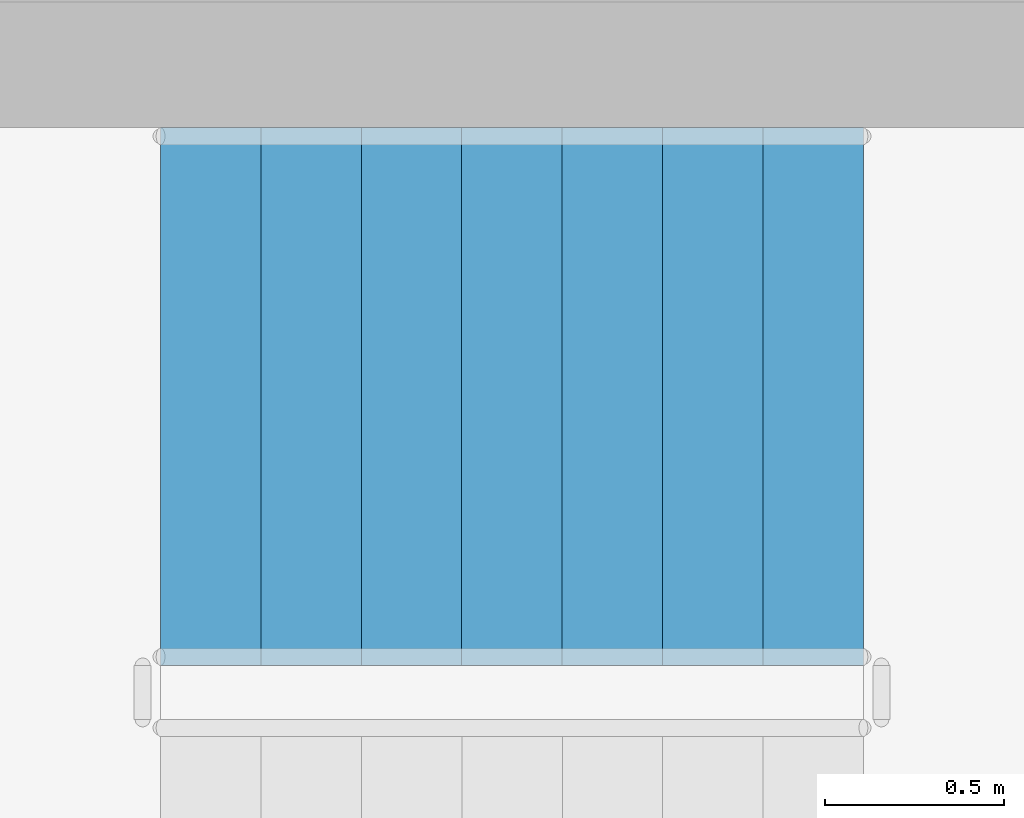
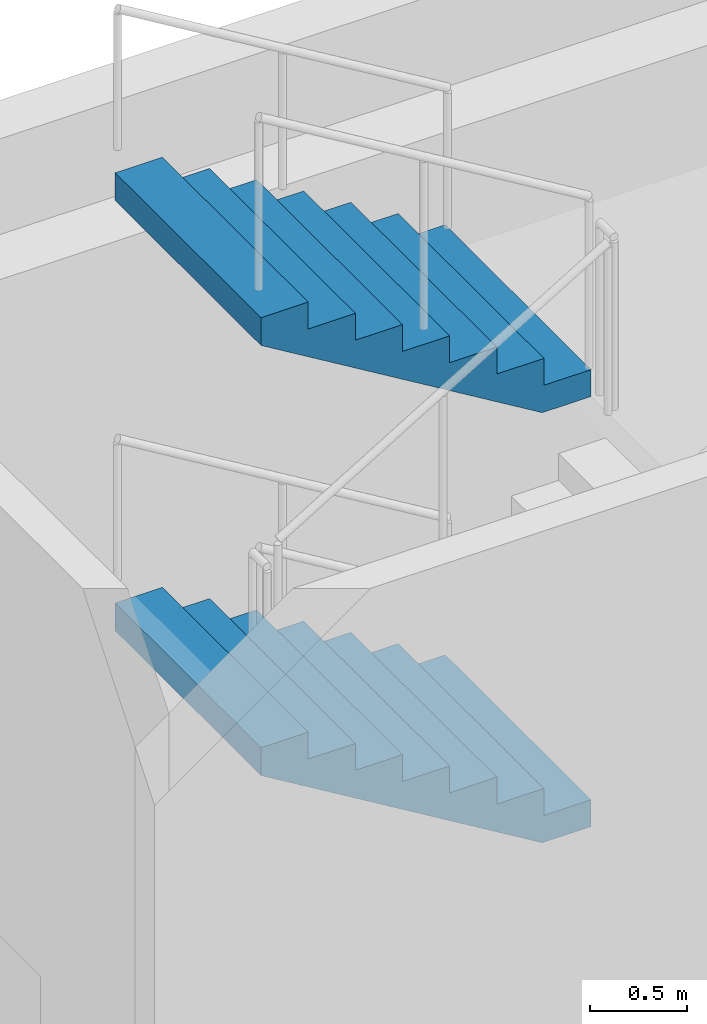
# One storey, part 64 of 101: 2 stair flights, 1 element without a shape of its own.
"""IFC4 building model written with IfcOpenShell, lengths in metres."""

from ifc_helpers import new_model, si_unit, direction, frame, origin, place, context, subcontext, project, spatial, triangles, material, type_object, element, aggregate, save


model = new_model("IFC4")

# Units and contexts
model_context = context("Model", 3, precision=1e-05, world=origin(), true_north=direction((0.0, 1.0)))
body_context = subcontext(model_context, "Body", "Model", "MODEL_VIEW")
ifc_project = project(units=[si_unit("LENGTHUNIT", "METRE"), si_unit("AREAUNIT", "SQUARE_METRE"), si_unit("VOLUMEUNIT", "CUBIC_METRE"), si_unit("PLANEANGLEUNIT", "RADIAN"), si_unit("MASSUNIT", "GRAM", prefix="KILO")], contexts=[model_context])

# Site, building, storey
site_placement = place(None, origin())
site = spatial("IfcSite", under=ifc_project, at=site_placement, CompositionType="ELEMENT")
building_placement = place(site_placement, origin())
building = spatial("IfcBuilding", under=site, at=building_placement, Name="Magnolia Steps Interchange", CompositionType="ELEMENT")
storey_placement = place(building_placement, frame((0.0, 0.0, -5.39990234375)))
storey = spatial("IfcBuildingStorey", under=building, at=storey_placement, Name="B1", CompositionType="ELEMENT", Elevation=-5.39990234375)

# Stair, stair flights
ifc_material_1 = material(Name="Concrete C40", Category="concrete")
stair_type = type_object("IfcStairType", Name="Exit stair 1500", PredefinedType="HALF_TURN_STAIR", material=ifc_material_1)
stair_placement = place(storey_placement, origin())
stair = element("IfcStair", 1, at=stair_placement, inside=storey, type_object=stair_type, Name="B1 Stair 3", PredefinedType="HALF_TURN_STAIR")
ifc_material_2 = material(Name="Concrete C40", Category="concrete")
stair_flight_type = type_object("IfcStairFlightType", Name="Exit stair flight", PredefinedType="STRAIGHT", material=ifc_material_2)
stair_flight_1_placement = place(storey_placement, frame((114.159912109375, 84.35009765625, 1.349853515625), z_axis=(0.0, 0.0, 1.0), x_axis=(-1.0, 0.0, 0.0)))
stair_flight_1 = element("IfcStairFlight", 2, at=stair_flight_1_placement, type_object=stair_flight_type, Name="Stair 3 flight 2", NumberOfRisers=8, NumberOfTreads=7, PredefinedType="STRAIGHT", RiserHeight=0.16875, TreadLength=0.28, context=body_context, shape_type="Tessellation", body=[
    triangles([(0.0, -0.75, 0.0), (0.29052734375, -0.75, 0.0), (1.9599609375, -0.75, 1.00634765625), (1.9599609375, -0.75, 1.18115234375), (1.679931640625, -0.75, 1.18115234375), (1.679931640625, -0.75, 1.012451171875), (1.39990234375, -0.75, 1.012451171875), (1.39990234375, -0.75, 0.84375), (1.1201171875, -0.75, 0.84375), (1.1201171875, -0.75, 0.675048828125), (0.840087890625, -0.75, 0.675048828125), (0.840087890625, -0.75, 0.50634765625), (0.56005859375, -0.75, 0.50634765625), (0.56005859375, -0.75, 0.33740234375), (0.280029296875, -0.75, 0.33740234375), (0.280029296875, -0.75, 0.168701171875), (0.0, -0.75, 0.168701171875), (0.0, 0.75, 0.0), (0.29052734375, 0.75, 0.0), (1.9599609375, 0.75, 1.00634765625), (1.9599609375, 0.75, 1.18115234375), (1.679931640625, 0.75, 1.18115234375), (1.679931640625, 0.75, 1.012451171875), (1.39990234375, 0.75, 1.012451171875), (1.39990234375, 0.75, 0.84375), (1.1201171875, 0.75, 0.84375), (1.1201171875, 0.75, 0.675048828125), (0.840087890625, 0.75, 0.675048828125), (0.840087890625, 0.75, 0.50634765625), (0.56005859375, 0.75, 0.50634765625), (0.56005859375, 0.75, 0.33740234375), (0.280029296875, 0.75, 0.33740234375), (0.280029296875, 0.75, 0.168701171875), (0.0, 0.75, 0.168701171875), (0.0, 0.0, 0.0), (0.0, 0.0, 0.04217529296875), (0.0, 0.0, 0.0843505859375), (0.0, 0.0, 0.12652587890625), (0.0, 0.0, 0.168701171875), (0.0, -0.05, 0.0), (0.0, -0.05, 0.168701171875), (0.0, 0.05, 0.0), (0.0, 0.05, 0.168701171875), (0.046671549479166664, 0.0, 0.168701171875), (0.09334309895833333, 0.0, 0.168701171875), (0.1400146484375, 0.0, 0.168701171875), (0.18668619791666666, 0.0, 0.168701171875), (0.23335774739583334, 0.0, 0.168701171875), (0.280029296875, 0.0, 0.168701171875), (0.280029296875, -0.05, 0.168701171875), (0.280029296875, 0.05, 0.168701171875), (0.280029296875, 0.0, 0.21087646484375), (0.280029296875, 0.0, 0.2530517578125), (0.280029296875, 0.0, 0.29522705078125), (0.280029296875, 0.0, 0.33740234375), (0.280029296875, -0.05, 0.33740234375), (0.280029296875, 0.05, 0.33740234375), (0.3267008463541667, 0.0, 0.33740234375), (0.3733723958333333, 0.0, 0.33740234375), (0.4200439453125, 0.0, 0.33740234375), (0.46671549479166663, 0.0, 0.33740234375), (0.5133870442708334, 0.0, 0.33740234375), (0.56005859375, 0.0, 0.33740234375), (0.56005859375, -0.05, 0.33740234375), (0.56005859375, 0.05, 0.33740234375), (0.56005859375, 0.0, 0.379638671875), (0.56005859375, 0.0, 0.421875), (0.56005859375, 0.0, 0.464111328125), (0.56005859375, 0.0, 0.50634765625), (0.56005859375, -0.05, 0.50634765625), (0.56005859375, 0.05, 0.50634765625), (0.6067301432291666, 0.0, 0.50634765625), (0.6534016927083334, 0.0, 0.50634765625), (0.7000732421875, 0.0, 0.50634765625), (0.7467447916666666, 0.0, 0.50634765625), (0.7934163411458334, 0.0, 0.50634765625), (0.840087890625, 0.0, 0.50634765625), (0.840087890625, -0.05, 0.50634765625), (0.840087890625, 0.05, 0.50634765625), (0.840087890625, 0.0, 0.54852294921875), (0.840087890625, 0.0, 0.5906982421875), (0.840087890625, 0.0, 0.63287353515625), (0.840087890625, 0.0, 0.675048828125), (0.840087890625, -0.05, 0.675048828125), (0.840087890625, 0.05, 0.675048828125), (0.8867594401041666, 0.0, 0.675048828125), (0.9334309895833334, 0.0, 0.675048828125), (0.9801025390625, 0.0, 0.675048828125), (1.0267740885416667, 0.0, 0.675048828125), (1.0734456380208333, 0.0, 0.675048828125), (1.1201171875, 0.0, 0.675048828125), (1.1201171875, -0.05, 0.675048828125), (1.1201171875, 0.05, 0.675048828125), (1.1201171875, 0.0, 0.71722412109375), (1.1201171875, 0.0, 0.7593994140625), (1.1201171875, 0.0, 0.80157470703125), (1.1201171875, 0.0, 0.84375), (1.1201171875, -0.05, 0.84375), (1.1201171875, 0.05, 0.84375), (1.1900634765625, 0.0, 0.84375), (1.260009765625, 0.0, 0.84375), (1.3299560546875, 0.0, 0.84375), (1.39990234375, 0.0, 0.84375), (1.39990234375, -0.05, 0.84375), (1.39990234375, 0.05, 0.84375), (1.39990234375, 0.0, 0.88592529296875), (1.39990234375, 0.0, 0.9281005859375), (1.39990234375, 0.0, 0.97027587890625), (1.39990234375, 0.0, 1.012451171875), (1.39990234375, -0.05, 1.012451171875), (1.39990234375, 0.05, 1.012451171875), (1.4465738932291667, 0.0, 1.012451171875), (1.4932454427083333, 0.0, 1.012451171875), (1.5399169921875, 0.0, 1.012451171875), (1.5865885416666667, 0.0, 1.012451171875), (1.6332600911458333, 0.0, 1.012451171875), (1.679931640625, 0.0, 1.012451171875), (1.679931640625, -0.05, 1.012451171875), (1.679931640625, 0.05, 1.012451171875), (1.679931640625, 0.0, 1.05462646484375), (1.679931640625, 0.0, 1.0968017578125), (1.679931640625, 0.0, 1.13897705078125), (1.679931640625, 0.0, 1.18115234375), (1.679931640625, -0.05, 1.18115234375), (1.679931640625, 0.05, 1.18115234375), (1.7266031901041667, 0.0, 1.18115234375), (1.7732747395833333, 0.0, 1.18115234375), (1.8199462890625, 0.0, 1.18115234375), (1.8666178385416667, 0.0, 1.18115234375), (1.9132893880208333, 0.0, 1.18115234375), (1.9599609375, 0.0, 1.18115234375), (1.9599609375, -0.05, 1.18115234375), (1.9599609375, 0.05, 1.18115234375), (1.9599609375, 0.0, 1.137451171875), (1.9599609375, 0.0, 1.09375), (1.9599609375, 0.0, 1.050048828125), (1.9599609375, 0.0, 1.00634765625), (1.9599609375, -0.05, 1.00634765625), (1.9599609375, 0.05, 1.00634765625), (1.9003383091517858, 0.0, 0.9704066685267857), (1.8407156808035714, 0.0, 0.9344656808035714), (1.7810930524553572, 0.0, 0.8985246930803571), (1.7214704241071428, 0.0, 0.8625837053571428), (1.6618477957589286, 0.0, 0.8266427176339286), (1.6022251674107144, 0.0, 0.7907017299107143), (1.5426025390625, 0.0, 0.7547607421875), (1.4829799107142856, 0.0, 0.7188197544642857), (1.4233572823660714, 0.0, 0.6828787667410714), (1.3637346540178572, 0.0, 0.6469377790178572), (1.3041120256696428, 0.0, 0.6109967912946428), (1.2444893973214286, 0.0, 0.5750558035714286), (1.1848667689732144, 0.0, 0.5391148158482143), (1.125244140625, 0.0, 0.503173828125), (1.0656215122767856, 0.0, 0.4672328404017857), (1.0059988839285714, 0.0, 0.4312918526785714), (0.9463762555803572, 0.0, 0.3953508649553571), (0.8867536272321428, 0.0, 0.3594098772321429), (0.8271309988839286, 0.0, 0.3234688895089286), (0.7675083705357142, 0.0, 0.2875279017857143), (0.7078857421875, 0.0, 0.2515869140625), (0.6482631138392858, 0.0, 0.2156459263392857), (0.5886404854910714, 0.0, 0.1797049386160714), (0.5290178571428572, 0.0, 0.1437639508928571), (0.4693952287946428, 0.0, 0.1078229631696429), (0.4097726004464286, 0.0, 0.0718819754464286), (0.3501499720982142, 0.0, 0.0359409877232143), (0.29052734375, 0.0, 0.0), (0.29052734375, -0.05, 0.0), (0.29052734375, 0.05, 0.0), (0.24210611979166666, 0.0, 0.0), (0.19368489583333331, 0.0, 0.0), (0.145263671875, 0.0, 0.0), (0.09684244791666666, 0.0, 0.0), (0.04842122395833334, 0.0, 0.0)], [[1, 2, 3], [3, 4, 5], [3, 5, 6], [3, 6, 7], [3, 7, 8], [8, 9, 10], [3, 8, 10], [10, 11, 12], [3, 10, 12], [12, 13, 14], [3, 12, 14], [14, 15, 16], [3, 14, 16], [1, 3, 16], [16, 17, 1], [18, 20, 19], [20, 22, 21], [20, 23, 22], [20, 24, 23], [20, 25, 24], [25, 27, 26], [20, 27, 25], [27, 29, 28], [20, 29, 27], [29, 31, 30], [20, 31, 29], [31, 33, 32], [20, 33, 31], [18, 33, 20], [33, 18, 34], [1, 17, 41], [1, 41, 40], [40, 36, 35], [40, 37, 36], [40, 41, 37], [41, 38, 37], [41, 39, 38], [18, 43, 34], [18, 42, 43], [42, 35, 36], [42, 36, 37], [42, 37, 43], [43, 37, 38], [43, 38, 39], [17, 16, 50], [17, 50, 41], [41, 44, 39], [41, 45, 44], [41, 46, 45], [41, 50, 46], [50, 47, 46], [50, 48, 47], [50, 49, 48], [34, 51, 33], [34, 43, 51], [43, 39, 44], [43, 44, 45], [43, 45, 46], [43, 46, 51], [51, 46, 47], [51, 47, 48], [51, 48, 49], [16, 15, 56], [16, 56, 50], [50, 52, 49], [50, 53, 52], [50, 56, 53], [56, 54, 53], [56, 55, 54], [33, 57, 32], [33, 51, 57], [51, 49, 52], [51, 52, 53], [51, 53, 57], [57, 53, 54], [57, 54, 55], [15, 14, 64], [15, 64, 56], [56, 58, 55], [56, 59, 58], [56, 60, 59], [56, 64, 60], [64, 61, 60], [64, 62, 61], [64, 63, 62], [32, 65, 31], [32, 57, 65], [57, 55, 58], [57, 58, 59], [57, 59, 60], [57, 60, 65], [65, 60, 61], [65, 61, 62], [65, 62, 63], [14, 13, 70], [14, 70, 64], [64, 66, 63], [64, 67, 66], [64, 70, 67], [70, 68, 67], [70, 69, 68], [31, 71, 30], [31, 65, 71], [65, 63, 66], [65, 66, 67], [65, 67, 71], [71, 67, 68], [71, 68, 69], [13, 12, 78], [13, 78, 70], [70, 72, 69], [70, 73, 72], [70, 74, 73], [70, 78, 74], [78, 75, 74], [78, 76, 75], [78, 77, 76], [30, 79, 29], [30, 71, 79], [71, 69, 72], [71, 72, 73], [71, 73, 74], [71, 74, 79], [79, 74, 75], [79, 75, 76], [79, 76, 77], [12, 11, 84], [12, 84, 78], [78, 80, 77], [78, 81, 80], [78, 84, 81], [84, 82, 81], [84, 83, 82], [29, 85, 28], [29, 79, 85], [79, 77, 80], [79, 80, 81], [79, 81, 85], [85, 81, 82], [85, 82, 83], [11, 10, 92], [11, 92, 84], [84, 86, 83], [84, 87, 86], [84, 88, 87], [84, 92, 88], [92, 89, 88], [92, 90, 89], [92, 91, 90], [28, 93, 27], [28, 85, 93], [85, 83, 86], [85, 86, 87], [85, 87, 88], [85, 88, 93], [93, 88, 89], [93, 89, 90], [93, 90, 91], [10, 9, 98], [10, 98, 92], [92, 94, 91], [92, 95, 94], [92, 98, 95], [98, 96, 95], [98, 97, 96], [27, 99, 26], [27, 93, 99], [93, 91, 94], [93, 94, 95], [93, 95, 99], [99, 95, 96], [99, 96, 97], [9, 8, 104], [9, 104, 98], [98, 100, 97], [98, 101, 100], [98, 104, 101], [104, 102, 101], [104, 103, 102], [26, 105, 25], [26, 99, 105], [99, 97, 100], [99, 100, 101], [99, 101, 105], [105, 101, 102], [105, 102, 103], [8, 7, 110], [8, 110, 104], [104, 106, 103], [104, 107, 106], [104, 110, 107], [110, 108, 107], [110, 109, 108], [25, 111, 24], [25, 105, 111], [105, 103, 106], [105, 106, 107], [105, 107, 111], [111, 107, 108], [111, 108, 109], [7, 6, 118], [7, 118, 110], [110, 112, 109], [110, 113, 112], [110, 114, 113], [110, 118, 114], [118, 115, 114], [118, 116, 115], [118, 117, 116], [24, 119, 23], [24, 111, 119], [111, 109, 112], [111, 112, 113], [111, 113, 114], [111, 114, 119], [119, 114, 115], [119, 115, 116], [119, 116, 117], [6, 5, 124], [6, 124, 118], [118, 120, 117], [118, 121, 120], [118, 124, 121], [124, 122, 121], [124, 123, 122], [23, 125, 22], [23, 119, 125], [119, 117, 120], [119, 120, 121], [119, 121, 125], [125, 121, 122], [125, 122, 123], [5, 4, 132], [5, 132, 124], [124, 126, 123], [124, 127, 126], [124, 128, 127], [124, 132, 128], [132, 129, 128], [132, 130, 129], [132, 131, 130], [22, 133, 21], [22, 125, 133], [125, 123, 126], [125, 126, 127], [125, 127, 128], [125, 128, 133], [133, 128, 129], [133, 129, 130], [133, 130, 131], [4, 3, 138], [4, 138, 132], [132, 134, 131], [132, 135, 134], [132, 138, 135], [138, 136, 135], [138, 137, 136], [21, 139, 20], [21, 133, 139], [133, 131, 134], [133, 134, 135], [133, 135, 139], [139, 135, 136], [139, 136, 137], [3, 2, 168], [3, 168, 138], [138, 140, 137], [138, 141, 140], [138, 142, 141], [138, 143, 142], [138, 144, 143], [138, 145, 144], [138, 146, 145], [138, 147, 146], [138, 148, 147], [138, 149, 148], [138, 150, 149], [138, 151, 150], [138, 152, 151], [138, 153, 152], [138, 168, 153], [168, 154, 153], [168, 155, 154], [168, 156, 155], [168, 157, 156], [168, 158, 157], [168, 159, 158], [168, 160, 159], [168, 161, 160], [168, 162, 161], [168, 163, 162], [168, 164, 163], [168, 165, 164], [168, 166, 165], [168, 167, 166], [20, 169, 19], [20, 139, 169], [139, 137, 140], [139, 140, 141], [139, 141, 142], [139, 142, 143], [139, 143, 144], [139, 144, 145], [139, 145, 146], [139, 146, 147], [139, 147, 148], [139, 148, 149], [139, 149, 150], [139, 150, 151], [139, 151, 152], [139, 152, 153], [139, 153, 169], [169, 153, 154], [169, 154, 155], [169, 155, 156], [169, 156, 157], [169, 157, 158], [169, 158, 159], [169, 159, 160], [169, 160, 161], [169, 161, 162], [169, 162, 163], [169, 163, 164], [169, 164, 165], [169, 165, 166], [169, 166, 167], [2, 1, 40], [2, 40, 168], [168, 170, 167], [168, 171, 170], [168, 172, 171], [168, 40, 172], [40, 173, 172], [40, 174, 173], [40, 35, 174], [19, 42, 18], [19, 169, 42], [169, 167, 170], [169, 170, 171], [169, 171, 172], [169, 172, 42], [42, 172, 173], [42, 173, 174], [42, 174, 35]], closed=True),
])
stair_flight_2_placement = place(storey_placement, frame((114.159912109375, 84.35009765625, 4.0498046875), z_axis=(0.0, 0.0, 1.0), x_axis=(-1.0, 0.0, 0.0)))
stair_flight_2 = element("IfcStairFlight", 3, at=stair_flight_2_placement, type_object=stair_flight_type, Name="Stair 3 flight 4", NumberOfRisers=8, NumberOfTreads=7, PredefinedType="STRAIGHT", RiserHeight=0.16875, TreadLength=0.28, context=body_context, shape_type="Tessellation", body=[
    triangles([(0.0, -0.75, 0.0), (0.29052734375, -0.75, 0.0), (1.9599609375, -0.75, 1.00634765625), (1.9599609375, -0.75, 1.18115234375), (1.679931640625, -0.75, 1.18115234375), (1.679931640625, -0.75, 1.012451171875), (1.39990234375, -0.75, 1.012451171875), (1.39990234375, -0.75, 0.84375), (1.1201171875, -0.75, 0.84375), (1.1201171875, -0.75, 0.675048828125), (0.840087890625, -0.75, 0.675048828125), (0.840087890625, -0.75, 0.50634765625), (0.56005859375, -0.75, 0.50634765625), (0.56005859375, -0.75, 0.33740234375), (0.280029296875, -0.75, 0.33740234375), (0.280029296875, -0.75, 0.168701171875), (0.0, -0.75, 0.168701171875), (0.0, 0.75, 0.0), (0.29052734375, 0.75, 0.0), (1.9599609375, 0.75, 1.00634765625), (1.9599609375, 0.75, 1.18115234375), (1.679931640625, 0.75, 1.18115234375), (1.679931640625, 0.75, 1.012451171875), (1.39990234375, 0.75, 1.012451171875), (1.39990234375, 0.75, 0.84375), (1.1201171875, 0.75, 0.84375), (1.1201171875, 0.75, 0.675048828125), (0.840087890625, 0.75, 0.675048828125), (0.840087890625, 0.75, 0.50634765625), (0.56005859375, 0.75, 0.50634765625), (0.56005859375, 0.75, 0.33740234375), (0.280029296875, 0.75, 0.33740234375), (0.280029296875, 0.75, 0.168701171875), (0.0, 0.75, 0.168701171875), (0.0, 0.0, 0.0), (0.0, 0.0, 0.04217529296875), (0.0, 0.0, 0.0843505859375), (0.0, 0.0, 0.12652587890625), (0.0, 0.0, 0.168701171875), (0.0, -0.05, 0.0), (0.0, -0.05, 0.168701171875), (0.0, 0.05, 0.0), (0.0, 0.05, 0.168701171875), (0.046671549479166664, 0.0, 0.168701171875), (0.09334309895833333, 0.0, 0.168701171875), (0.1400146484375, 0.0, 0.168701171875), (0.18668619791666666, 0.0, 0.168701171875), (0.23335774739583334, 0.0, 0.168701171875), (0.280029296875, 0.0, 0.168701171875), (0.280029296875, -0.05, 0.168701171875), (0.280029296875, 0.05, 0.168701171875), (0.280029296875, 0.0, 0.21087646484375), (0.280029296875, 0.0, 0.2530517578125), (0.280029296875, 0.0, 0.29522705078125), (0.280029296875, 0.0, 0.33740234375), (0.280029296875, -0.05, 0.33740234375), (0.280029296875, 0.05, 0.33740234375), (0.3267008463541667, 0.0, 0.33740234375), (0.3733723958333333, 0.0, 0.33740234375), (0.4200439453125, 0.0, 0.33740234375), (0.46671549479166663, 0.0, 0.33740234375), (0.5133870442708334, 0.0, 0.33740234375), (0.56005859375, 0.0, 0.33740234375), (0.56005859375, -0.05, 0.33740234375), (0.56005859375, 0.05, 0.33740234375), (0.56005859375, 0.0, 0.379638671875), (0.56005859375, 0.0, 0.421875), (0.56005859375, 0.0, 0.464111328125), (0.56005859375, 0.0, 0.50634765625), (0.56005859375, -0.05, 0.50634765625), (0.56005859375, 0.05, 0.50634765625), (0.6067301432291666, 0.0, 0.50634765625), (0.6534016927083334, 0.0, 0.50634765625), (0.7000732421875, 0.0, 0.50634765625), (0.7467447916666666, 0.0, 0.50634765625), (0.7934163411458334, 0.0, 0.50634765625), (0.840087890625, 0.0, 0.50634765625), (0.840087890625, -0.05, 0.50634765625), (0.840087890625, 0.05, 0.50634765625), (0.840087890625, 0.0, 0.54852294921875), (0.840087890625, 0.0, 0.5906982421875), (0.840087890625, 0.0, 0.63287353515625), (0.840087890625, 0.0, 0.675048828125), (0.840087890625, -0.05, 0.675048828125), (0.840087890625, 0.05, 0.675048828125), (0.8867594401041666, 0.0, 0.675048828125), (0.9334309895833334, 0.0, 0.675048828125), (0.9801025390625, 0.0, 0.675048828125), (1.0267740885416667, 0.0, 0.675048828125), (1.0734456380208333, 0.0, 0.675048828125), (1.1201171875, 0.0, 0.675048828125), (1.1201171875, -0.05, 0.675048828125), (1.1201171875, 0.05, 0.675048828125), (1.1201171875, 0.0, 0.71722412109375), (1.1201171875, 0.0, 0.7593994140625), (1.1201171875, 0.0, 0.80157470703125), (1.1201171875, 0.0, 0.84375), (1.1201171875, -0.05, 0.84375), (1.1201171875, 0.05, 0.84375), (1.1900634765625, 0.0, 0.84375), (1.260009765625, 0.0, 0.84375), (1.3299560546875, 0.0, 0.84375), (1.39990234375, 0.0, 0.84375), (1.39990234375, -0.05, 0.84375), (1.39990234375, 0.05, 0.84375), (1.39990234375, 0.0, 0.88592529296875), (1.39990234375, 0.0, 0.9281005859375), (1.39990234375, 0.0, 0.97027587890625), (1.39990234375, 0.0, 1.012451171875), (1.39990234375, -0.05, 1.012451171875), (1.39990234375, 0.05, 1.012451171875), (1.4465738932291667, 0.0, 1.012451171875), (1.4932454427083333, 0.0, 1.012451171875), (1.5399169921875, 0.0, 1.012451171875), (1.5865885416666667, 0.0, 1.012451171875), (1.6332600911458333, 0.0, 1.012451171875), (1.679931640625, 0.0, 1.012451171875), (1.679931640625, -0.05, 1.012451171875), (1.679931640625, 0.05, 1.012451171875), (1.679931640625, 0.0, 1.05462646484375), (1.679931640625, 0.0, 1.0968017578125), (1.679931640625, 0.0, 1.13897705078125), (1.679931640625, 0.0, 1.18115234375), (1.679931640625, -0.05, 1.18115234375), (1.679931640625, 0.05, 1.18115234375), (1.7266031901041667, 0.0, 1.18115234375), (1.7732747395833333, 0.0, 1.18115234375), (1.8199462890625, 0.0, 1.18115234375), (1.8666178385416667, 0.0, 1.18115234375), (1.9132893880208333, 0.0, 1.18115234375), (1.9599609375, 0.0, 1.18115234375), (1.9599609375, -0.05, 1.18115234375), (1.9599609375, 0.05, 1.18115234375), (1.9599609375, 0.0, 1.137451171875), (1.9599609375, 0.0, 1.09375), (1.9599609375, 0.0, 1.050048828125), (1.9599609375, 0.0, 1.00634765625), (1.9599609375, -0.05, 1.00634765625), (1.9599609375, 0.05, 1.00634765625), (1.9003383091517858, 0.0, 0.9704066685267857), (1.8407156808035714, 0.0, 0.9344656808035714), (1.7810930524553572, 0.0, 0.8985246930803571), (1.7214704241071428, 0.0, 0.8625837053571428), (1.6618477957589286, 0.0, 0.8266427176339286), (1.6022251674107144, 0.0, 0.7907017299107143), (1.5426025390625, 0.0, 0.7547607421875), (1.4829799107142856, 0.0, 0.7188197544642857), (1.4233572823660714, 0.0, 0.6828787667410714), (1.3637346540178572, 0.0, 0.6469377790178572), (1.3041120256696428, 0.0, 0.6109967912946428), (1.2444893973214286, 0.0, 0.5750558035714286), (1.1848667689732144, 0.0, 0.5391148158482143), (1.125244140625, 0.0, 0.503173828125), (1.0656215122767856, 0.0, 0.4672328404017857), (1.0059988839285714, 0.0, 0.4312918526785714), (0.9463762555803572, 0.0, 0.3953508649553571), (0.8867536272321428, 0.0, 0.3594098772321429), (0.8271309988839286, 0.0, 0.3234688895089286), (0.7675083705357142, 0.0, 0.2875279017857143), (0.7078857421875, 0.0, 0.2515869140625), (0.6482631138392858, 0.0, 0.2156459263392857), (0.5886404854910714, 0.0, 0.1797049386160714), (0.5290178571428572, 0.0, 0.1437639508928571), (0.4693952287946428, 0.0, 0.1078229631696429), (0.4097726004464286, 0.0, 0.0718819754464286), (0.3501499720982142, 0.0, 0.0359409877232143), (0.29052734375, 0.0, 0.0), (0.29052734375, -0.05, 0.0), (0.29052734375, 0.05, 0.0), (0.24210611979166666, 0.0, 0.0), (0.19368489583333331, 0.0, 0.0), (0.145263671875, 0.0, 0.0), (0.09684244791666666, 0.0, 0.0), (0.04842122395833334, 0.0, 0.0)], [[1, 2, 3], [3, 4, 5], [3, 5, 6], [3, 6, 7], [3, 7, 8], [8, 9, 10], [3, 8, 10], [10, 11, 12], [3, 10, 12], [12, 13, 14], [3, 12, 14], [14, 15, 16], [3, 14, 16], [1, 3, 16], [16, 17, 1], [18, 20, 19], [20, 22, 21], [20, 23, 22], [20, 24, 23], [20, 25, 24], [25, 27, 26], [20, 27, 25], [27, 29, 28], [20, 29, 27], [29, 31, 30], [20, 31, 29], [31, 33, 32], [20, 33, 31], [18, 33, 20], [33, 18, 34], [1, 17, 41], [1, 41, 40], [40, 36, 35], [40, 37, 36], [40, 41, 37], [41, 38, 37], [41, 39, 38], [18, 43, 34], [18, 42, 43], [42, 35, 36], [42, 36, 37], [42, 37, 43], [43, 37, 38], [43, 38, 39], [17, 16, 50], [17, 50, 41], [41, 44, 39], [41, 45, 44], [41, 46, 45], [41, 50, 46], [50, 47, 46], [50, 48, 47], [50, 49, 48], [34, 51, 33], [34, 43, 51], [43, 39, 44], [43, 44, 45], [43, 45, 46], [43, 46, 51], [51, 46, 47], [51, 47, 48], [51, 48, 49], [16, 15, 56], [16, 56, 50], [50, 52, 49], [50, 53, 52], [50, 56, 53], [56, 54, 53], [56, 55, 54], [33, 57, 32], [33, 51, 57], [51, 49, 52], [51, 52, 53], [51, 53, 57], [57, 53, 54], [57, 54, 55], [15, 14, 64], [15, 64, 56], [56, 58, 55], [56, 59, 58], [56, 60, 59], [56, 64, 60], [64, 61, 60], [64, 62, 61], [64, 63, 62], [32, 65, 31], [32, 57, 65], [57, 55, 58], [57, 58, 59], [57, 59, 60], [57, 60, 65], [65, 60, 61], [65, 61, 62], [65, 62, 63], [14, 13, 70], [14, 70, 64], [64, 66, 63], [64, 67, 66], [64, 70, 67], [70, 68, 67], [70, 69, 68], [31, 71, 30], [31, 65, 71], [65, 63, 66], [65, 66, 67], [65, 67, 71], [71, 67, 68], [71, 68, 69], [13, 12, 78], [13, 78, 70], [70, 72, 69], [70, 73, 72], [70, 74, 73], [70, 78, 74], [78, 75, 74], [78, 76, 75], [78, 77, 76], [30, 79, 29], [30, 71, 79], [71, 69, 72], [71, 72, 73], [71, 73, 74], [71, 74, 79], [79, 74, 75], [79, 75, 76], [79, 76, 77], [12, 11, 84], [12, 84, 78], [78, 80, 77], [78, 81, 80], [78, 84, 81], [84, 82, 81], [84, 83, 82], [29, 85, 28], [29, 79, 85], [79, 77, 80], [79, 80, 81], [79, 81, 85], [85, 81, 82], [85, 82, 83], [11, 10, 92], [11, 92, 84], [84, 86, 83], [84, 87, 86], [84, 88, 87], [84, 92, 88], [92, 89, 88], [92, 90, 89], [92, 91, 90], [28, 93, 27], [28, 85, 93], [85, 83, 86], [85, 86, 87], [85, 87, 88], [85, 88, 93], [93, 88, 89], [93, 89, 90], [93, 90, 91], [10, 9, 98], [10, 98, 92], [92, 94, 91], [92, 95, 94], [92, 98, 95], [98, 96, 95], [98, 97, 96], [27, 99, 26], [27, 93, 99], [93, 91, 94], [93, 94, 95], [93, 95, 99], [99, 95, 96], [99, 96, 97], [9, 8, 104], [9, 104, 98], [98, 100, 97], [98, 101, 100], [98, 104, 101], [104, 102, 101], [104, 103, 102], [26, 105, 25], [26, 99, 105], [99, 97, 100], [99, 100, 101], [99, 101, 105], [105, 101, 102], [105, 102, 103], [8, 7, 110], [8, 110, 104], [104, 106, 103], [104, 107, 106], [104, 110, 107], [110, 108, 107], [110, 109, 108], [25, 111, 24], [25, 105, 111], [105, 103, 106], [105, 106, 107], [105, 107, 111], [111, 107, 108], [111, 108, 109], [7, 6, 118], [7, 118, 110], [110, 112, 109], [110, 113, 112], [110, 114, 113], [110, 118, 114], [118, 115, 114], [118, 116, 115], [118, 117, 116], [24, 119, 23], [24, 111, 119], [111, 109, 112], [111, 112, 113], [111, 113, 114], [111, 114, 119], [119, 114, 115], [119, 115, 116], [119, 116, 117], [6, 5, 124], [6, 124, 118], [118, 120, 117], [118, 121, 120], [118, 124, 121], [124, 122, 121], [124, 123, 122], [23, 125, 22], [23, 119, 125], [119, 117, 120], [119, 120, 121], [119, 121, 125], [125, 121, 122], [125, 122, 123], [5, 4, 132], [5, 132, 124], [124, 126, 123], [124, 127, 126], [124, 128, 127], [124, 132, 128], [132, 129, 128], [132, 130, 129], [132, 131, 130], [22, 133, 21], [22, 125, 133], [125, 123, 126], [125, 126, 127], [125, 127, 128], [125, 128, 133], [133, 128, 129], [133, 129, 130], [133, 130, 131], [4, 3, 138], [4, 138, 132], [132, 134, 131], [132, 135, 134], [132, 138, 135], [138, 136, 135], [138, 137, 136], [21, 139, 20], [21, 133, 139], [133, 131, 134], [133, 134, 135], [133, 135, 139], [139, 135, 136], [139, 136, 137], [3, 2, 168], [3, 168, 138], [138, 140, 137], [138, 141, 140], [138, 142, 141], [138, 143, 142], [138, 144, 143], [138, 145, 144], [138, 146, 145], [138, 147, 146], [138, 148, 147], [138, 149, 148], [138, 150, 149], [138, 151, 150], [138, 152, 151], [138, 153, 152], [138, 168, 153], [168, 154, 153], [168, 155, 154], [168, 156, 155], [168, 157, 156], [168, 158, 157], [168, 159, 158], [168, 160, 159], [168, 161, 160], [168, 162, 161], [168, 163, 162], [168, 164, 163], [168, 165, 164], [168, 166, 165], [168, 167, 166], [20, 169, 19], [20, 139, 169], [139, 137, 140], [139, 140, 141], [139, 141, 142], [139, 142, 143], [139, 143, 144], [139, 144, 145], [139, 145, 146], [139, 146, 147], [139, 147, 148], [139, 148, 149], [139, 149, 150], [139, 150, 151], [139, 151, 152], [139, 152, 153], [139, 153, 169], [169, 153, 154], [169, 154, 155], [169, 155, 156], [169, 156, 157], [169, 157, 158], [169, 158, 159], [169, 159, 160], [169, 160, 161], [169, 161, 162], [169, 162, 163], [169, 163, 164], [169, 164, 165], [169, 165, 166], [169, 166, 167], [2, 1, 40], [2, 40, 168], [168, 170, 167], [168, 171, 170], [168, 172, 171], [168, 40, 172], [40, 173, 172], [40, 174, 173], [40, 35, 174], [19, 42, 18], [19, 169, 42], [169, 167, 170], [169, 170, 171], [169, 171, 172], [169, 172, 42], [42, 172, 173], [42, 173, 174], [42, 174, 35]], closed=True),
])
aggregate(stair, [stair_flight_1, stair_flight_2])

save(model, "model.ifc")
